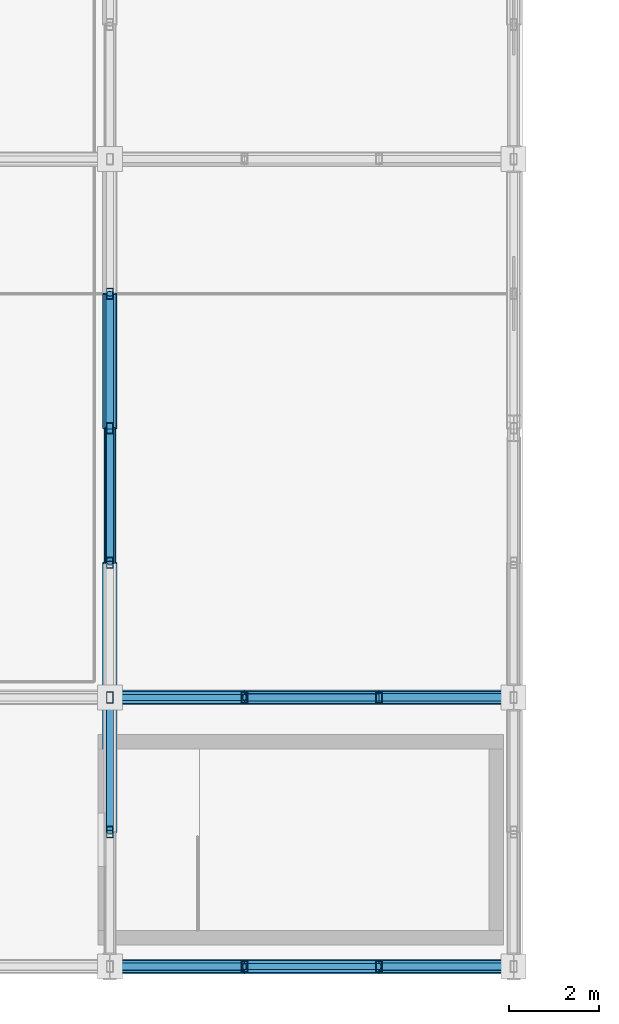
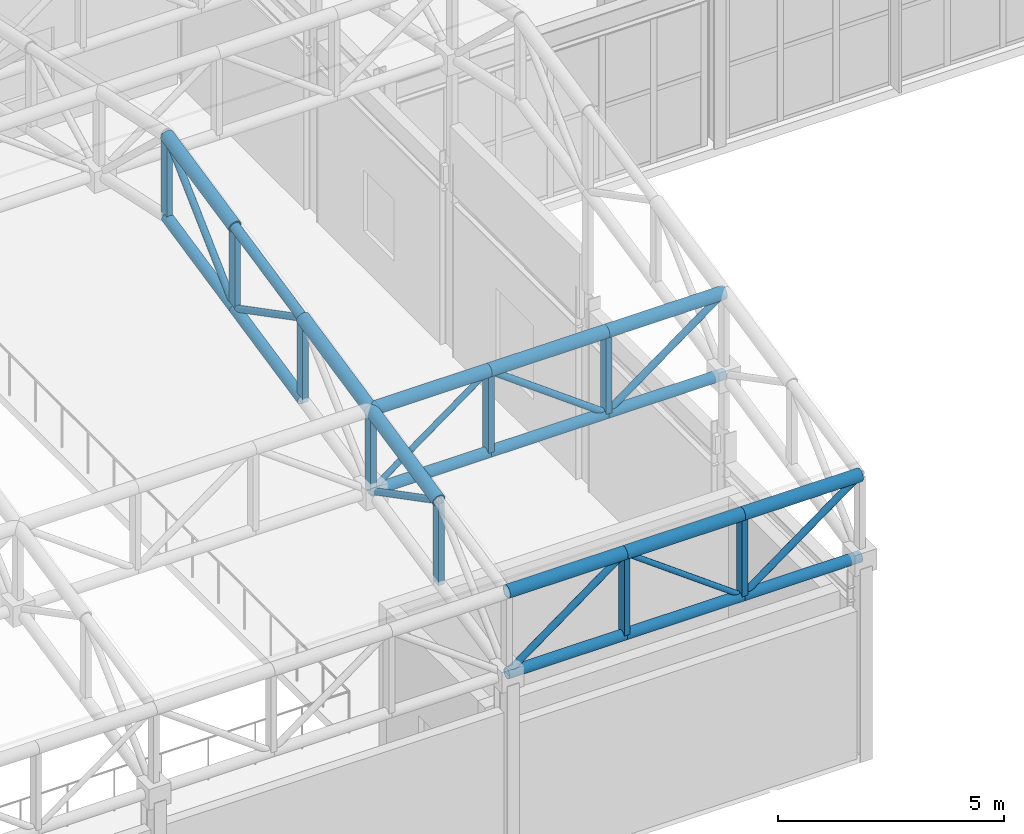
# One storey, part 20 of 112: 36 members.
"""IFC4 building model written with IfcOpenShell, lengths in metres."""

from ifc_helpers import new_model, si_unit, direction, frame, origin, origin_2d, place, context, subcontext, project, spatial, hollow_rectangle, hollow_circle, extrude, material, material_profile, profile_set, type_object, element, save


model = new_model("IFC4")

# Units and contexts
model_context = context("Model", 3, precision=1e-05, world=origin(), true_north=direction((0.0, 1.0)))
body_context = subcontext(model_context, "Body", "Model", "MODEL_VIEW")
ifc_project = project(units=[si_unit("LENGTHUNIT", "METRE"), si_unit("AREAUNIT", "SQUARE_METRE"), si_unit("VOLUMEUNIT", "CUBIC_METRE"), si_unit("PLANEANGLEUNIT", "RADIAN"), si_unit("MASSUNIT", "GRAM", prefix="KILO")], contexts=[model_context])

# Site, building, storey
site_placement = place(None, origin())
site = spatial("IfcSite", under=ifc_project, at=site_placement, CompositionType="ELEMENT")
building_placement = place(site_placement, origin())
building = spatial("IfcBuilding", under=site, at=building_placement, Name="Kaldris Quays Convention Centre", CompositionType="ELEMENT")
storey_placement = place(building_placement, frame((0.0, 0.0, 16.800048828125)))
storey = spatial("IfcBuildingStorey", under=building, at=storey_placement, Name="L03", CompositionType="ELEMENT", Elevation=16.800048828125)

# Members
ifc_material = material(Name="Steel S355J2H", Category="steel")
ifc_material_profile_1 = material_profile(ifc_material, hollow_circle(Radius=0.161865234375, WallThickness=0.01611328125, at=origin_2d()), Name="CHS 323.9x16")
ifc_profile_set_1 = profile_set([ifc_material_profile_1], Name="Steel S355J2H")
member_type_1 = type_object("IfcMemberType", Name="STRUCTURAL MEMBER SC03", PredefinedType="CHORD", material=ifc_profile_set_1)
for number, where, z_axis, x_axis, name in (
    (1, (74.0, 16.0, 7.530517578125), (1.0, 0.0, 0.0), (0.0, 1.0, 0.0), "SF-V3 Top Chord X 19"),
    (2, (77.0, 16.0, 7.530517578125), (1.0, 0.0, 0.0), (0.0, 1.0, 0.0), "SF-V3 Top Chord X 20"),
    (3, (80.0, 16.0, 7.530517578125), (1.0, 0.0, 0.0), (0.0, 1.0, 0.0), "SF-V3 Top Chord X 21"),
    (4, (74.0, 22.0, 8.810546875), (1.0, 0.0, 0.0), (0.0, 1.0, 0.0), "SF-V3 Top Chord X 40"),
    (5, (77.0, 22.0, 8.810546875), (1.0, 0.0, 0.0), (0.0, 1.0, 0.0), "SF-V3 Top Chord X 41"),
    (6, (80.0, 22.0, 8.810546875), (1.0, 0.0, 0.0), (0.0, 1.0, 0.0), "SF-V3 Top Chord X 42"),
):
    element("IfcMember", number, at=place(storey_placement, frame(where, z_axis=z_axis, x_axis=x_axis)), inside=storey, type_object=member_type_1, Name=name, PredefinedType="CHORD", context=body_context, shape_type="SweptSolid", body=[
        extrude(hollow_circle(Radius=0.161865234375, WallThickness=0.01611328125, at=origin_2d()), origin(), (0.0, 0.0, 1.0), 3.0),
    ])
member_1_placement = place(storey_placement, frame((74.0, 19.0, 8.17041015625), z_axis=(0.0, 0.977983741211, 0.20868110103), x_axis=(-1.0, 0.0, 0.0)))
element("IfcMember", 7, at=member_1_placement, inside=storey, type_object=member_type_1, Name="SF-V3 Top Chord Y 167", PredefinedType="CHORD", context=body_context, shape_type="SweptSolid", body=[
    extrude(hollow_circle(Radius=0.161865234375, WallThickness=0.01611328125, at=origin_2d()), origin(), (0.0, 0.0, 1.0), 3.067626953125),
])
member_2_placement = place(storey_placement, frame((74.0, 22.0, 8.810546875), z_axis=(0.0, 0.977999981478, 0.208604976518), x_axis=(-1.0, 0.0, 0.0)))
element("IfcMember", 8, at=member_2_placement, inside=storey, type_object=member_type_1, Name="SF-V3 Top Chord Y 168", PredefinedType="CHORD", context=body_context, shape_type="SweptSolid", body=[
    extrude(hollow_circle(Radius=0.161865234375, WallThickness=0.01611328125, at=origin_2d()), origin(), (0.0, 0.0, 1.0), 3.0673828125),
])
member_3_placement = place(storey_placement, frame((74.0, 28.0, 10.09033203125), z_axis=(0.0, 0.977983741211, 0.20868110103), x_axis=(-1.0, 0.0, 0.0)))
element("IfcMember", 9, at=member_3_placement, inside=storey, type_object=member_type_1, Name="SF-V3 Top Chord Y 170", PredefinedType="CHORD", context=body_context, shape_type="SweptSolid", body=[
    extrude(hollow_circle(Radius=0.161865234375, WallThickness=0.01611328125, at=origin_2d()), origin(), (0.0, 0.0, 1.0), 3.067626953125),
])
ifc_material_profile_2 = material_profile(ifc_material, hollow_circle(Radius=0.136474609375, WallThickness=0.012451171875, at=origin_2d()), Name="CHS 273x12.5")
ifc_profile_set_2 = profile_set([ifc_material_profile_2], Name="Steel S355J2H")
member_type_2 = type_object("IfcMemberType", Name="STRUCTURAL MEMBER SC04", PredefinedType="CHORD", material=ifc_profile_set_2)
for number, where, z_axis, x_axis, name in (
    (10, (74.0, 16.0, 5.33056640625), (1.0, 0.0, 0.0), (0.0, 1.0, 0.0), "SF-V3 Bottom Chord X 19"),
    (11, (77.0, 16.0, 5.33056640625), (1.0, 0.0, 0.0), (0.0, 1.0, 0.0), "SF-V3 Bottom Chord X 20"),
    (12, (80.0, 16.0, 5.33056640625), (1.0, 0.0, 0.0), (0.0, 1.0, 0.0), "SF-V3 Bottom Chord X 21"),
    (13, (74.0, 22.0, 6.6103515625), (1.0, 0.0, 0.0), (0.0, 1.0, 0.0), "SF-V3 Bottom Chord X 40"),
    (14, (77.0, 22.0, 6.6103515625), (1.0, 0.0, 0.0), (0.0, 1.0, 0.0), "SF-V3 Bottom Chord X 41"),
    (15, (80.0, 22.0, 6.6103515625), (1.0, 0.0, 0.0), (0.0, 1.0, 0.0), "SF-V3 Bottom Chord X 42"),
):
    element("IfcMember", number, at=place(storey_placement, frame(where, z_axis=z_axis, x_axis=x_axis)), inside=storey, type_object=member_type_2, Name=name, PredefinedType="CHORD", context=body_context, shape_type="SweptSolid", body=[
        extrude(hollow_circle(Radius=0.136474609375, WallThickness=0.012451171875, at=origin_2d()), origin(), (0.0, 0.0, 1.0), 3.0),
    ])
member_4_placement = place(storey_placement, frame((74.0, 25.0, 7.25048828125), z_axis=(0.0, 0.977999981478, 0.208604976518), x_axis=(-1.0, 0.0, 0.0)))
element("IfcMember", 16, at=member_4_placement, inside=storey, type_object=member_type_2, Name="SF-V3 Bottom Chord Y 169", PredefinedType="CHORD", context=body_context, shape_type="SweptSolid", body=[
    extrude(hollow_circle(Radius=0.136474609375, WallThickness=0.012451171875, at=origin_2d()), origin(), (0.0, 0.0, 1.0), 3.0673828125),
])
member_5_placement = place(storey_placement, frame((74.0, 28.0, 7.890380859375), z_axis=(0.0, 0.977983741211, 0.20868110103), x_axis=(-1.0, 0.0, 0.0)))
element("IfcMember", 17, at=member_5_placement, inside=storey, type_object=member_type_2, Name="SF-V3 Bottom Chord Y 170", PredefinedType="CHORD", context=body_context, shape_type="SweptSolid", body=[
    extrude(hollow_circle(Radius=0.136474609375, WallThickness=0.012451171875, at=origin_2d()), origin(), (0.0, 0.0, 1.0), 3.067626953125),
])
ifc_material_profile_3 = material_profile(ifc_material, hollow_circle(Radius=0.122314453125, WallThickness=0.010009765625, at=origin_2d()), Name="CHS 244.5x10")
ifc_profile_set_3 = profile_set([ifc_material_profile_3], Name="Steel S355J2H")
member_type_3 = type_object("IfcMemberType", Name="STRUCTURAL MEMBER SC05", PredefinedType="CHORD", material=ifc_profile_set_3)
member_6_placement = place(storey_placement, frame((74.0, 25.0, 9.450439453125), z_axis=(0.0, 0.977999981478, 0.208604976518), x_axis=(-1.0, 0.0, 0.0)))
element("IfcMember", 18, at=member_6_placement, inside=storey, type_object=member_type_3, Name="SF-V3 Top Chord Y 169", PredefinedType="CHORD", context=body_context, shape_type="SweptSolid", body=[
    extrude(hollow_circle(Radius=0.122314453125, WallThickness=0.010009765625, at=origin_2d()), origin(), (0.0, 0.0, 1.0), 3.0673828125),
])
ifc_material_profile_4 = material_profile(ifc_material, hollow_circle(Radius=0.084228515625, WallThickness=0.008056640625, at=origin_2d()), Name="CHS 168.3x8")
ifc_profile_set_4 = profile_set([ifc_material_profile_4], Name="Steel S355J2H")
member_type_4 = type_object("IfcMemberType", Name="STRUCTURAL MEMBER SWB2", PredefinedType="BRACE", material=ifc_profile_set_4)
for number, where, z_axis, x_axis, name in (
    (19, (74.0, 16.0, 5.33056640625), (0.80641125493, 0.0, 0.591355128432), (0.0, 1.0, 0.0), "SF-V3 Web Diagonal X 19"),
    (20, (80.0, 16.0, 5.33056640625), (0.80641125493, 0.0, 0.591355128432), (0.0, 1.0, 0.0), "SF-V3 Web Diagonal X 21"),
    (21, (80.0, 22.0, 6.6103515625), (-0.806379959628, 0.0, 0.591397802423), (0.0, -1.0, 0.0), "SF-V3 Web Diagonal X 41"),
    (22, (80.0, 22.0, 6.6103515625), (0.806379959628, 0.0, 0.591397802423), (0.0, 1.0, 0.0), "SF-V3 Web Diagonal X 42"),
):
    element("IfcMember", number, at=place(storey_placement, frame(where, z_axis=z_axis, x_axis=x_axis)), inside=storey, type_object=member_type_4, Name=name, PredefinedType="BRACE", context=body_context, shape_type="SweptSolid", body=[
        extrude(hollow_circle(Radius=0.084228515625, WallThickness=0.008056640625, at=origin_2d()), origin(), (0.0, 0.0, 1.0), 3.72021484375),
    ])
for number, where, z_axis, x_axis, name in (
    (23, (74.0, 22.0, 6.6103515625), (0.0, -0.887209708306, 0.461366376634), (1.0, 0.0, 0.0), "SF-V3 Web Diagonal Y 167"),
    (24, (74.0, 28.0, 7.890380859375), (0.0, -0.887209708306, 0.461366376634), (1.0, 0.0, 0.0), "SF-V3 Web Diagonal Y 169"),
):
    element("IfcMember", number, at=place(storey_placement, frame(where, z_axis=z_axis, x_axis=x_axis)), inside=storey, type_object=member_type_4, Name=name, PredefinedType="BRACE", context=body_context, shape_type="SweptSolid", body=[
        extrude(hollow_circle(Radius=0.084228515625, WallThickness=0.008056640625, at=origin_2d()), origin(), (0.0, 0.0, 1.0), 3.38134765625),
    ])
member_7_placement = place(storey_placement, frame((74.0, 28.0, 7.890380859375), z_axis=(0.0, 0.726196449967, 0.687487247922), x_axis=(-1.0, 0.0, 0.0)))
element("IfcMember", 25, at=member_7_placement, inside=storey, type_object=member_type_4, Name="SF-V3 Web Diagonal Y 170", PredefinedType="BRACE", context=body_context, shape_type="SweptSolid", body=[
    extrude(hollow_circle(Radius=0.084228515625, WallThickness=0.008056640625, at=origin_2d()), origin(), (0.0, 0.0, 1.0), 4.131103515625),
])
ifc_material_profile_5 = material_profile(ifc_material, hollow_circle(Radius=0.06982421875, WallThickness=0.00634765625, at=origin_2d()), Name="CHS 139.7x6.3")
ifc_profile_set_5 = profile_set([ifc_material_profile_5], Name="Steel S355J2H")
member_type_5 = type_object("IfcMemberType", Name="STRUCTURAL MEMBER SWB4", PredefinedType="BRACE", material=ifc_profile_set_5)
for number, where, z_axis, x_axis, name in (
    (26, (80.0, 16.0, 5.33056640625), (-0.80641125493, 0.0, 0.591355128432), (0.0, -1.0, 0.0), "SF-V3 Web Diagonal X 20"),
    (27, (74.0, 22.0, 6.6103515625), (0.806379959628, 0.0, 0.591397802423), (0.0, 1.0, 0.0), "SF-V3 Web Diagonal X 40"),
):
    element("IfcMember", number, at=place(storey_placement, frame(where, z_axis=z_axis, x_axis=x_axis)), inside=storey, type_object=member_type_5, Name=name, PredefinedType="BRACE", context=body_context, shape_type="SweptSolid", body=[
        extrude(hollow_circle(Radius=0.06982421875, WallThickness=0.00634765625, at=origin_2d()), origin(), (0.0, 0.0, 1.0), 3.72021484375),
    ])
ifc_material_profile_6 = material_profile(ifc_material, hollow_rectangle(XDim=0.14990234375, YDim=0.25, WallThickness=0.010009765625, at=origin_2d()), Name="RHS 250x150x10")
ifc_profile_set_6 = profile_set([ifc_material_profile_6], Name="Steel S355J2H")
member_type_6 = type_object("IfcMemberType", Name="STRUCTURAL MEMBER TTV1", PredefinedType="POST", material=ifc_profile_set_6)
member_8_placement = place(storey_placement, frame((74.0, 19.0, 5.970458984375), z_axis=(0.0, 0.0, 1.0), x_axis=(1.0, 0.0, 0.0)))
element("IfcMember", 28, at=member_8_placement, inside=storey, type_object=member_type_6, Name="SF-V3 Space-Frame Post 128", PredefinedType="POST", context=body_context, shape_type="SweptSolid", body=[
    extrude(hollow_rectangle(XDim=0.14990234375, YDim=0.25, WallThickness=0.010009765625, at=origin_2d()), origin(), (0.0, 0.0, 1.0), 2.199951171875),
])
member_9_placement = place(storey_placement, frame((74.0, 22.0, 6.6103515625), z_axis=(0.0, 0.0, 1.0), x_axis=(1.0, 0.0, 0.0)))
element("IfcMember", 29, at=member_9_placement, inside=storey, type_object=member_type_6, Name="SF-V3 Space-Frame Post 129", PredefinedType="POST", context=body_context, shape_type="SweptSolid", body=[
    extrude(hollow_rectangle(XDim=0.14990234375, YDim=0.25, WallThickness=0.010009765625, at=origin_2d()), origin(), (0.0, 0.0, 1.0), 2.2001953125),
])
for number, where, z_axis, x_axis, name in (
    (30, (74.0, 25.0, 7.25048828125), (0.0, 0.0, 1.0), (1.0, 0.0, 0.0), "SF-V3 Space-Frame Post 130"),
    (31, (74.0, 28.0, 7.890380859375), (0.0, 0.0, 1.0), (1.0, 0.0, 0.0), "SF-V3 Space-Frame Post 131"),
    (32, (74.0, 31.0, 8.530517578125), (0.0, 0.0, 1.0), (1.0, 0.0, 0.0), "SF-V3 Space-Frame Post 132"),
    (33, (77.0, 16.0, 5.33056640625), (0.0, 0.0, 1.0), (1.0, 0.0, 0.0), "SF-V3 Space-Frame Post 138"),
):
    element("IfcMember", number, at=place(storey_placement, frame(where, z_axis=z_axis, x_axis=x_axis)), inside=storey, type_object=member_type_6, Name=name, PredefinedType="POST", context=body_context, shape_type="SweptSolid", body=[
        extrude(hollow_rectangle(XDim=0.14990234375, YDim=0.25, WallThickness=0.010009765625, at=origin_2d()), origin(), (0.0, 0.0, 1.0), 2.199951171875),
    ])
member_10_placement = place(storey_placement, frame((77.0, 22.0, 6.6103515625), z_axis=(0.0, 0.0, 1.0), x_axis=(1.0, 0.0, 0.0)))
element("IfcMember", 34, at=member_10_placement, inside=storey, type_object=member_type_6, Name="SF-V3 Space-Frame Post 139", PredefinedType="POST", context=body_context, shape_type="SweptSolid", body=[
    extrude(hollow_rectangle(XDim=0.14990234375, YDim=0.25, WallThickness=0.010009765625, at=origin_2d()), origin(), (0.0, 0.0, 1.0), 2.2001953125),
])
member_11_placement = place(storey_placement, frame((80.0, 16.0, 5.33056640625), z_axis=(0.0, 0.0, 1.0), x_axis=(1.0, 0.0, 0.0)))
element("IfcMember", 35, at=member_11_placement, inside=storey, type_object=member_type_6, Name="SF-V3 Space-Frame Post 143", PredefinedType="POST", context=body_context, shape_type="SweptSolid", body=[
    extrude(hollow_rectangle(XDim=0.14990234375, YDim=0.25, WallThickness=0.010009765625, at=origin_2d()), origin(), (0.0, 0.0, 1.0), 2.199951171875),
])
member_12_placement = place(storey_placement, frame((80.0, 22.0, 6.6103515625), z_axis=(0.0, 0.0, 1.0), x_axis=(1.0, 0.0, 0.0)))
element("IfcMember", 36, at=member_12_placement, inside=storey, type_object=member_type_6, Name="SF-V3 Space-Frame Post 144", PredefinedType="POST", context=body_context, shape_type="SweptSolid", body=[
    extrude(hollow_rectangle(XDim=0.14990234375, YDim=0.25, WallThickness=0.010009765625, at=origin_2d()), origin(), (0.0, 0.0, 1.0), 2.2001953125),
])

save(model, "model.ifc")
